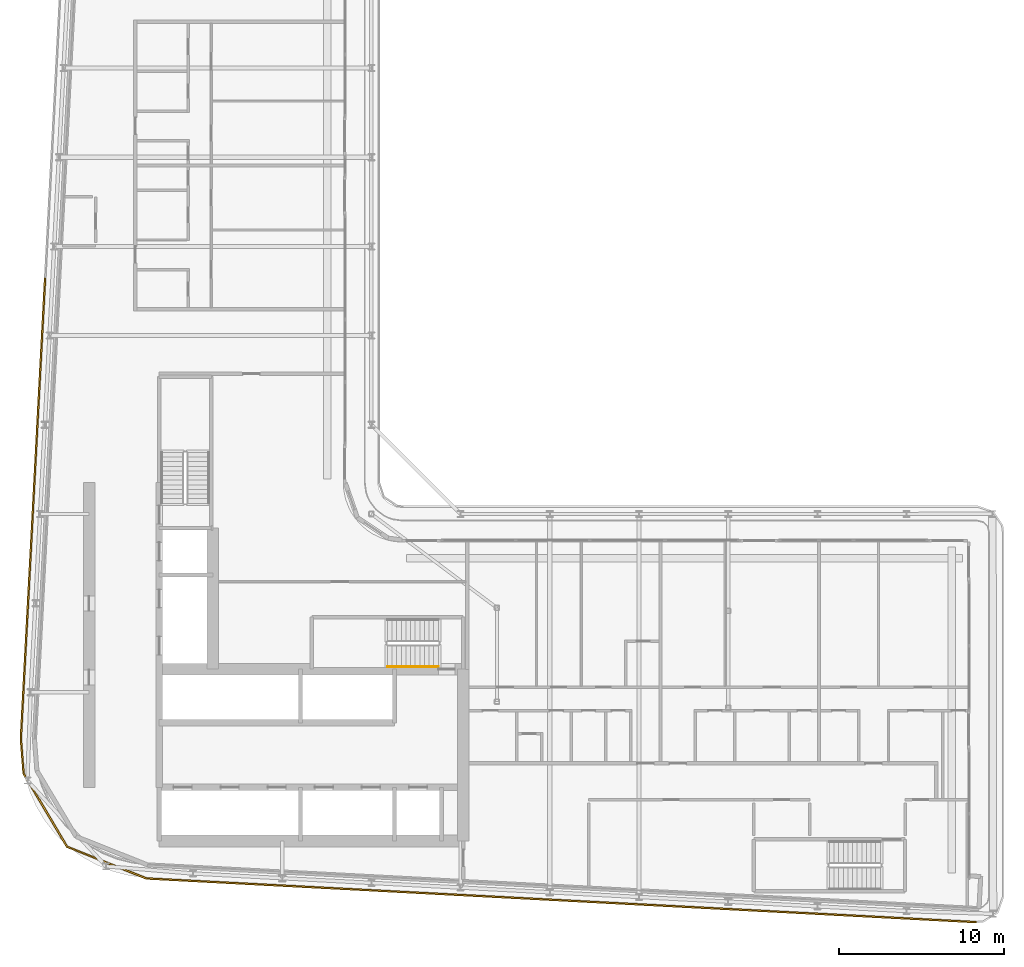
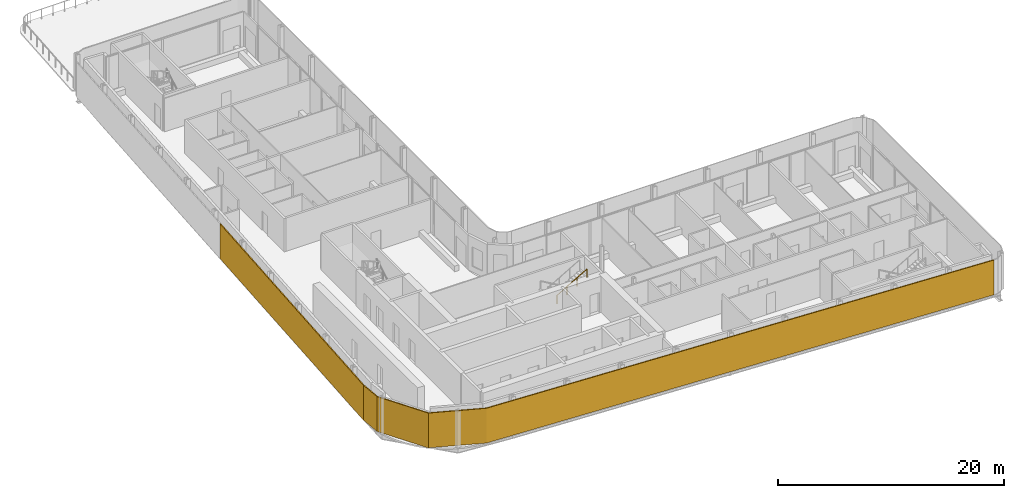
# One storey, part 15 of 22: 2 shading devices, 1 railing.
"""IFC4 building model written with IfcOpenShell, lengths in metres."""

import ifcopenshell
import ifcopenshell.guid

model = None  # the IFC model being written
_history = None  # IfcOwnerHistory: only IFC2X3 demands one
_inside = {}  # id of a spatial element -> (the spatial element, [elements in it])
_under = {}  # id of a project, library or spatial element -> (it, [spatial elements below it])
_declared = {}  # id of a project -> (the project, [libraries it declares])
_typed = {}  # id of a type object -> (the type object, [elements of that type])
_made_of = {}  # id of a material, layer set ... -> (it, [elements and type objects made of it])


def new_model(schema):
    """Start an empty IFC model of exactly this schema.

    Asked for "IFC4X3", IfcOpenShell would pick the latest addendum, in which some entities
    have other attributes; the version numbers below select the first issue.
    IFC2X3 requires an IfcOwnerHistory on every rooted entity: one is made here for all.
    """
    global model, _history
    if schema == "IFC4X3":
        model = ifcopenshell.file(schema_version=(4, 3, 0, 0))
    else:
        model = ifcopenshell.file(schema=schema)
    _inside.clear()
    _under.clear()
    _declared.clear()
    _typed.clear()
    _made_of.clear()
    _history = None
    if model.schema == "IFC2X3":
        org = make("IfcOrganization", Name="unknown")
        user = make(
            "IfcPersonAndOrganization",
            ThePerson=make("IfcPerson", FamilyName="unknown"),
            TheOrganization=org,
        )
        app = make(
            "IfcApplication",
            ApplicationDeveloper=org,
            Version="unknown",
            ApplicationFullName="unknown",
            ApplicationIdentifier="unknown",
        )
        _history = make(
            "IfcOwnerHistory",
            OwningUser=user,
            OwningApplication=app,
            ChangeAction="ADDED",
            CreationDate=0,
        )
    return model


def make(cls, **values):
    """One entity of the class cls with the attributes given. An attribute that is None is left unset."""
    return model.create_entity(
        cls, **{name: value for name, value in values.items() if value is not None}
    )


def rooted(cls, **values):
    """An entity with a GlobalId (a new one), such as an element, a storey or a relation."""
    return make(cls, GlobalId=ifcopenshell.guid.new(), OwnerHistory=_history, **values)


def si_unit(unit_type, name, prefix=None):
    """IfcSIUnit, for example si_unit("LENGTHUNIT", "METRE", prefix="MILLI")."""
    return make("IfcSIUnit", UnitType=unit_type, Prefix=prefix, Name=name)


def assignment(units):
    """IfcUnitAssignment: the units of a project."""
    return None if units is None else make("IfcUnitAssignment", Units=units)


def point(xyz):
    """IfcCartesianPoint."""
    return None if xyz is None else make("IfcCartesianPoint", Coordinates=xyz)


def direction(xyz):
    """IfcDirection."""
    return None if xyz is None else make("IfcDirection", DirectionRatios=xyz)


def frame(location, z_axis=None, x_axis=None):
    """IfcAxis2Placement3D, a coordinate frame: its origin and axes. An axis left out is left unset."""
    return make(
        "IfcAxis2Placement3D",
        Location=point(location),
        Axis=direction(z_axis),
        RefDirection=direction(x_axis),
    )


def frame_2d(location, x_axis=None):
    """IfcAxis2Placement2D, a coordinate frame in the plane: its origin and x axis."""
    return make(
        "IfcAxis2Placement2D", Location=point(location), RefDirection=direction(x_axis)
    )


def origin():
    """The frame at (0, 0, 0) with its axes left unset."""
    return frame((0.0, 0.0, 0.0))


def origin_2d():
    """The frame at (0, 0) in the plane with its x axis left unset."""
    return frame_2d((0.0, 0.0))


def place(relative_to, where):
    """IfcLocalPlacement: puts the frame where relative to a parent placement (None: the world)."""
    return make(
        "IfcLocalPlacement", PlacementRelTo=relative_to, RelativePlacement=where
    )


def context(
    kind, dimensions, precision=None, world=None, true_north=None, identifier=None
):
    """IfcGeometricRepresentationContext, for example the 3D "Model" context."""
    return make(
        "IfcGeometricRepresentationContext",
        ContextIdentifier=identifier,
        ContextType=kind,
        CoordinateSpaceDimension=dimensions,
        Precision=precision,
        WorldCoordinateSystem=world,
        TrueNorth=true_north,
    )


def subcontext(parent, identifier, kind, view, scale=None):
    """IfcGeometricRepresentationSubContext, for example "Body" below "Model"."""
    return make(
        "IfcGeometricRepresentationSubContext",
        ContextIdentifier=identifier,
        ContextType=kind,
        ParentContext=parent,
        TargetScale=scale,
        TargetView=view,
    )


def project(units=None, contexts=None):
    """IfcProject with its units and contexts."""
    return rooted(
        "IfcProject",
        Name="project",
        RepresentationContexts=contexts,
        UnitsInContext=assignment(units),
    )


def spatial(cls, under=None, at=None, **own):
    """A site, building, storey or space (cls), placed at a placement, below another one or the project."""
    s = rooted(cls, ObjectPlacement=at, **own)
    if under is not None:
        _under.setdefault(under.id(), (under, []))[1].append(s)
    return s


def polyline(points):
    """IfcPolyline through the points."""
    return make("IfcPolyline", Points=[point(p) for p in points])


def profile(cls, at=None, kind="AREA", **sizes):
    """A parametric profile (cls). Its sizes go by their IFC names, for example OverallWidth=200.0."""
    return make(cls, ProfileType=kind, Position=at, **sizes)


def rectangle(**sizes):
    """IfcRectangleProfileDef."""
    return profile("IfcRectangleProfileDef", **sizes)


def circle(**sizes):
    """IfcCircleProfileDef."""
    return profile("IfcCircleProfileDef", **sizes)


def outline(outer, holes=None, kind="AREA"):
    """IfcArbitraryClosedProfileDef: a profile drawn as a closed curve; with holes, ...WithVoids."""
    if holes is None:
        return make("IfcArbitraryClosedProfileDef", ProfileType=kind, OuterCurve=outer)
    return make(
        "IfcArbitraryProfileDefWithVoids",
        ProfileType=kind,
        OuterCurve=outer,
        InnerCurves=holes,
    )


def extrude(swept, where, along, depth):
    """IfcExtrudedAreaSolid: the profile swept, set in the frame where, extruded along a direction by depth."""
    return make(
        "IfcExtrudedAreaSolid",
        SweptArea=swept,
        Position=where,
        ExtrudedDirection=direction(along),
        Depth=depth,
    )


def shape(context_of_items, identifier, shape_type, items):
    """IfcShapeRepresentation: the items that make up one representation, for example the "Body"."""
    return make(
        "IfcShapeRepresentation",
        ContextOfItems=context_of_items,
        RepresentationIdentifier=identifier,
        RepresentationType=shape_type,
        Items=items,
    )


def material(Name=None, Category=None):
    """IfcMaterial."""
    return make("IfcMaterial", Name=Name, Category=Category)


def layer(
    of_material, thickness, ventilated=None, Name=None, Category=None, Priority=None
):
    """IfcMaterialLayer: one layer of a wall or slab, of a material (None: an air gap)."""
    return make(
        "IfcMaterialLayer",
        Material=of_material,
        LayerThickness=thickness,
        IsVentilated=ventilated,
        Name=Name,
        Category=Category,
        Priority=Priority,
    )


def layer_set(layers, Name=None):
    """IfcMaterialLayerSet."""
    return make("IfcMaterialLayerSet", MaterialLayers=layers, LayerSetName=Name)


def made_of(thing, what):
    """Note that an element or type object is made of a material, layer set ...; save() writes the relation."""
    if what is not None:
        _made_of.setdefault(what.id(), (what, []))[1].append(thing)
    return thing


def type_object(cls, material=None, **own):
    """A type object (cls), such as IfcWallType, which elements share."""
    return made_of(rooted(cls, **own), material)


def element(
    cls,
    number,
    at=None,
    inside=None,
    cuts=None,
    type_object=None,
    material=None,
    context=None,
    identifier="Body",
    shape_type=None,
    held_by="IfcProductDefinitionShape",
    body=None,
    shapes=None,
    **own,
):
    """One element of the class cls, such as IfcWall. Its Tag is "e" and its number.

    at: its placement. inside: the storey or other place that contains it. cuts: it is an
    opening in that element (IfcRelVoidsElement). A single representation is given by context,
    identifier, shape_type and body (its items); several are given by shapes. held_by: the class
    of the entity that holds the representations. save() writes the other relations.
    """
    e = rooted(cls, Tag="e%d" % number, ObjectPlacement=at, **own)
    if body is not None:
        shapes = [shape(context, identifier, shape_type, body)]
    if shapes is not None:
        e.Representation = make(held_by, Representations=shapes)
    if inside is not None:
        _inside.setdefault(inside.id(), (inside, []))[1].append(e)
    if cuts is not None:
        rooted(
            "IfcRelVoidsElement", RelatingBuildingElement=cuts, RelatedOpeningElement=e
        )
    if type_object is not None:
        _typed.setdefault(type_object.id(), (type_object, []))[1].append(e)
    return made_of(e, material)


def aggregate(whole, parts):
    """IfcRelAggregates: a whole, such as a stair, and the parts it consists of."""
    return rooted("IfcRelAggregates", RelatingObject=whole, RelatedObjects=parts)


def save(model, path):
    """Write the relations noted so far, then the file.

    IfcRelAggregates (storeys below a building ...), IfcRelContainedInSpatialStructure (elements
    in a storey), IfcRelDefinesByType, IfcRelAssociatesMaterial and IfcRelDeclares: one each for
    every whole, place, type object, material and project.
    """
    for whole, parts in _under.values():
        aggregate(whole, parts)
    for where, things in _inside.values():
        rooted(
            "IfcRelContainedInSpatialStructure",
            RelatedElements=things,
            RelatingStructure=where,
        )
    for kind, things in _typed.values():
        rooted("IfcRelDefinesByType", RelatedObjects=things, RelatingType=kind)
    for what, things in _made_of.values():
        rooted("IfcRelAssociatesMaterial", RelatedObjects=things, RelatingMaterial=what)
    for by, libraries in _declared.values():
        rooted("IfcRelDeclares", RelatingContext=by, RelatedDefinitions=libraries)
    model.write(path)


model = new_model("IFC4")

# Units and contexts
model_context = context("Model", 3, precision=1e-05, world=origin(), true_north=direction((0.0, 1.0)))
body_context = subcontext(model_context, "Body", "Model", "MODEL_VIEW")
ifc_project = project(units=[si_unit("LENGTHUNIT", "METRE"), si_unit("AREAUNIT", "SQUARE_METRE"), si_unit("VOLUMEUNIT", "CUBIC_METRE"), si_unit("PLANEANGLEUNIT", "RADIAN"), si_unit("MASSUNIT", "GRAM", prefix="KILO")], contexts=[model_context])

# Site, building, storey
site_placement = place(None, origin())
site = spatial("IfcSite", under=ifc_project, at=site_placement, CompositionType="ELEMENT")
building_placement = place(site_placement, origin())
building = spatial("IfcBuilding", under=site, at=building_placement, Name="Kheshtan School and Residences Tower", CompositionType="ELEMENT")
storey_placement = place(building_placement, frame((0.0, 0.0, 216.199951171875)))
storey = spatial("IfcBuildingStorey", under=building, at=storey_placement, Name="L50", CompositionType="ELEMENT", Elevation=216.199951171875)

# Shading devices
ifc_material_1 = material(Name="Terracotta baguette, extruded ceramic", Category="masonry")
ifc_layer = layer(ifc_material_1, 0.10009765625)
ifc_layer_set = layer_set([ifc_layer], Name="Ledge screen, terracotta baguettes")
shading_device_type = type_object("IfcShadingDeviceType", Name="Ledge screen, terracotta baguettes", PredefinedType="USERDEFINED", material=ifc_layer_set)
shading_device_1_placement = place(storey_placement, origin())
element("IfcShadingDevice", 1, at=shading_device_1_placement, inside=storey, type_object=shading_device_type, Name="Screen L50 3", ObjectType="BAGUETTE", PredefinedType="USERDEFINED", context=body_context, shape_type="SweptSolid", body=[
    extrude(outline(polyline([(84.220947265625, 20.93603515625), (33.989013671875, 23.580078125), (29.2119140625, 25.486083984375), (26.583984375, 29.906982421875), (26.419921875, 31.989013671875), (26.320068359375, 31.98095703125), (26.486083984375, 29.8759765625), (29.14306640625, 25.406005859375), (33.967041015625, 23.48095703125), (84.216064453125, 20.8359375), (84.220947265625, 20.93603515625)])), origin(), (0.0, 0.0, 1.0), 3.75),
])
shading_device_2_placement = place(storey_placement, frame((27.10400390625, 45.93896484375, 0.0), z_axis=(0.0, 0.0, 1.0), x_axis=(0.052562536748, 0.998617634398, 0.0)))
element("IfcShadingDevice", 2, at=shading_device_2_placement, inside=storey, type_object=shading_device_type, Name="Screen L50 4", ObjectType="BAGUETTE", PredefinedType="USERDEFINED", context=body_context, shape_type="SweptSolid", body=[
    extrude(rectangle(XDim=27.93408203125, YDim=0.10009765625, at=origin_2d()), origin(), (0.0, 0.0, 1.0), 3.75),
])

# Railing
ifc_material_2 = material(Name="Stainless steel handrail", Category="steel")
railing_type = type_object("IfcRailingType", Name="Stair handrail 900", PredefinedType="HANDRAIL", material=ifc_material_2)
railing_placement = place(storey_placement, frame((48.570068359375, 36.35009765625, 2.112548828125)))
element("IfcRailing", 3, at=railing_placement, inside=storey, type_object=railing_type, Name="L50 ST1 stair handrail 2", PredefinedType="HANDRAIL", context=body_context, shape_type="SweptSolid", body=[
    extrude(circle(Radius=0.02392578125, at=origin_2d()), frame((0.0, 0.0, 0.8759765625), z_axis=(0.864873446163, 0.0, 0.501989962173), x_axis=(0.0, 1.0, 0.0)), (0.0, 0.0, 1.0), 3.56103515625),
    extrude(circle(Radius=0.02099609375, at=origin_2d()), origin(), (0.0, 0.0, 1.0), 0.851806640625),
    extrude(circle(Radius=0.02099609375, at=origin_2d()), frame((1.026611328125, 0.0, 0.595947265625)), (0.0, 0.0, 1.0), 0.851806640625),
    extrude(circle(Radius=0.02099609375, at=origin_2d()), frame((2.05322265625, 0.0, 1.191650390625)), (0.0, 0.0, 1.0), 0.851806640625),
    extrude(circle(Radius=0.02099609375, at=origin_2d()), frame((3.079833984375, 0.0, 1.78759765625)), (0.0, 0.0, 1.0), 0.851806640625),
])

save(model, "model.ifc")
